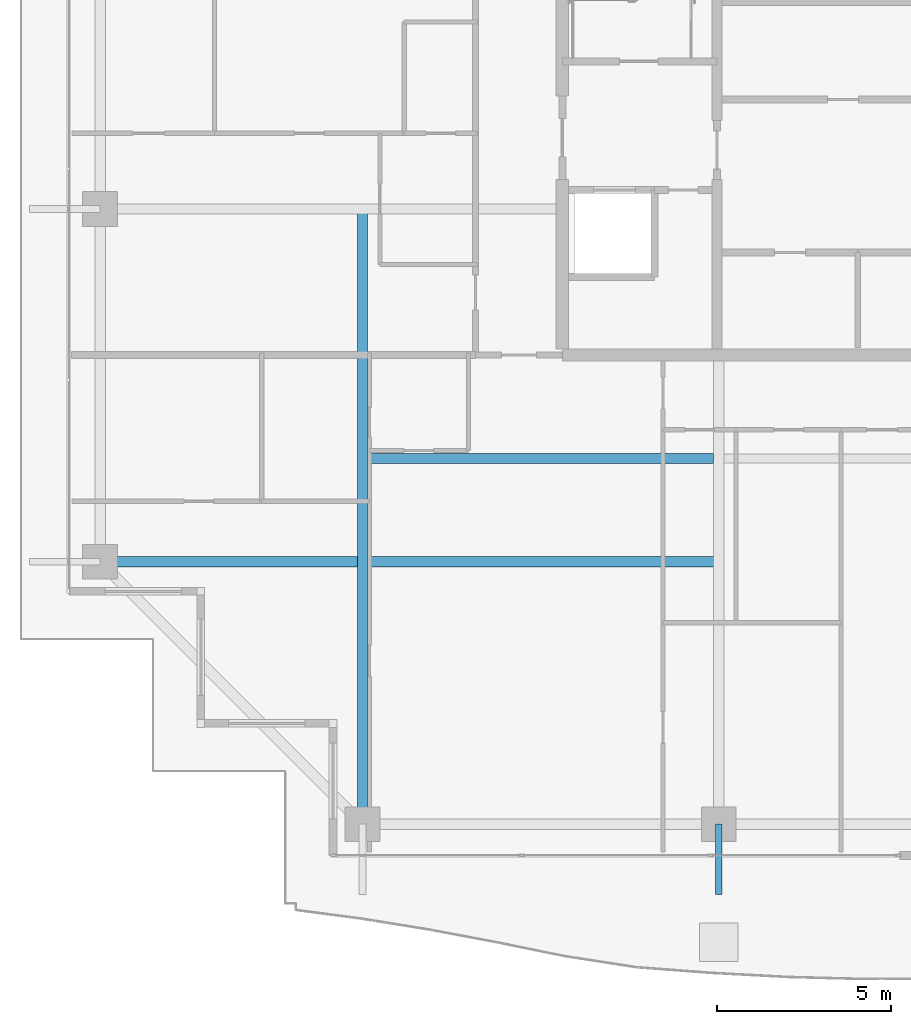
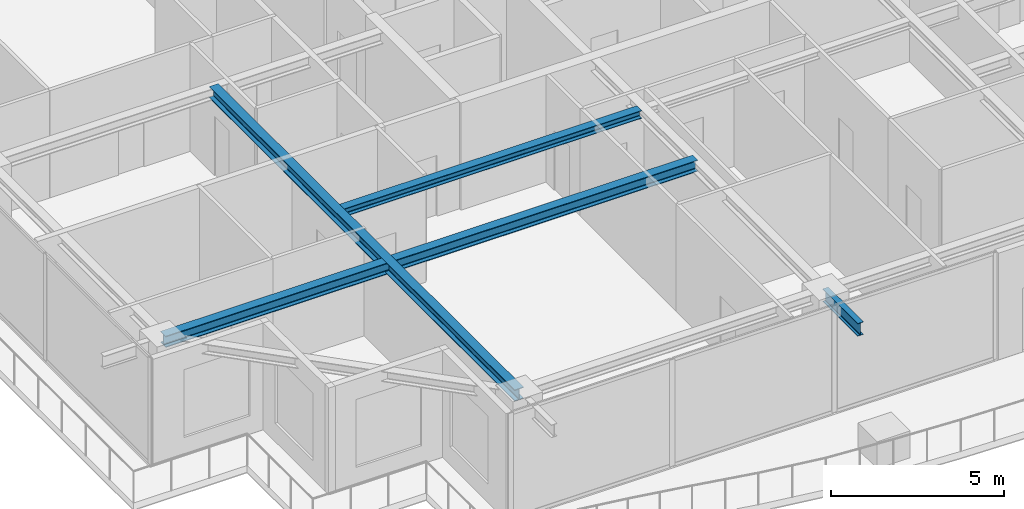
# One storey, part 5 of 42: 4 beams.
"""IFC4 building model written with IfcOpenShell, lengths in metres."""

from ifc_helpers import new_model, si_unit, direction, frame, origin, origin_2d, place, context, subcontext, project, spatial, i_section, extrude, source, transform, mapped, material, material_profile, profile_set, type_object, element, save


model = new_model("IFC4")

# Units and contexts
model_context = context("Model", 3, precision=1e-05, world=origin(), true_north=direction((0.0, 1.0)))
body_context = subcontext(model_context, "Body", "Model", "MODEL_VIEW")
ifc_project = project(units=[si_unit("LENGTHUNIT", "METRE"), si_unit("AREAUNIT", "SQUARE_METRE"), si_unit("VOLUMEUNIT", "CUBIC_METRE"), si_unit("PLANEANGLEUNIT", "RADIAN"), si_unit("MASSUNIT", "GRAM", prefix="KILO")], contexts=[model_context])

# Site, building, storey
site_placement = place(None, origin())
site = spatial("IfcSite", under=ifc_project, at=site_placement, CompositionType="ELEMENT")
building_placement = place(site_placement, origin())
building = spatial("IfcBuilding", under=site, at=building_placement, Name="Serunith Strait Residences", CompositionType="ELEMENT")
storey_placement = place(building_placement, frame((0.0, 0.0, 309.64990234375)))
storey = spatial("IfcBuildingStorey", under=building, at=storey_placement, Name="L77", CompositionType="ELEMENT", Elevation=309.64990234375)

# Beams
ifc_material = material(Name="Steel S355J2", Category="steel")
ifc_material_profile_1 = material_profile(ifc_material, i_section(OverallWidth=0.280029296875, OverallDepth=0.280029296875, WebThickness=0.010498046875, FlangeThickness=0.01806640625, FilletRadius=0.02392578125, at=origin_2d()), Name="HEB 280")
ifc_profile_set_1 = profile_set([ifc_material_profile_1], Name="Steel S355J2")
beam_type_1 = type_object("IfcBeamType", Name="BM-HEB280", PredefinedType="JOIST", material=ifc_profile_set_1)
shared_shape_1 = source(origin(), body_context, "Body", "SweptSolid", [
    extrude(i_section(OverallWidth=0.280029296875, OverallDepth=0.280029296875, WebThickness=0.010498046875, FlangeThickness=0.01806640625, FilletRadius=0.02392578125, at=origin_2d()), origin(), (0.0, 0.0, 1.0), 9.949951171875),
])
beam_1_placement = place(storey_placement, frame((17.800048828125, 13.824951171875, 3.647216796875), z_axis=(1.0, 0.0, 0.0), x_axis=(0.0, 1.0, 0.0)))
element("IfcBeam", 1, at=beam_1_placement, inside=storey, type_object=beam_type_1, Name="L77 Composite Floor Joist 01", PredefinedType="JOIST", context=body_context, shape_type="MappedRepresentation", body=[
    mapped(shared_shape_1, transform((0.0, 0.0, 0.0), scale=1.0)),
])
ifc_material_profile_2 = material_profile(ifc_material, i_section(OverallWidth=0.300048828125, OverallDepth=0.39990234375, WebThickness=0.013427734375, FlangeThickness=0.02392578125, FilletRadius=0.027099609375, at=origin_2d()), Name="HEB 400")
ifc_profile_set_2 = profile_set([ifc_material_profile_2], Name="Steel S355J2")
beam_type_2 = type_object("IfcBeamType", Name="BM-HEB400", PredefinedType="BEAM", material=ifc_profile_set_2)
shared_shape_2 = source(origin(), body_context, "Body", "SweptSolid", [
    extrude(i_section(OverallWidth=0.300048828125, OverallDepth=0.39990234375, WebThickness=0.013427734375, FlangeThickness=0.02392578125, FilletRadius=0.027099609375, at=origin_2d()), origin(), (0.0, 0.0, 1.0), 17.699951171875),
])
beam_2_placement = place(storey_placement, frame((17.64990234375, 21.0, 3.587158203125), z_axis=(0.0, -1.0, 0.0), x_axis=(1.0, 0.0, 0.0)))
element("IfcBeam", 2, at=beam_2_placement, inside=storey, type_object=beam_type_2, Name="L77 Orthogonal Corner Girder TC-S1", PredefinedType="BEAM", context=body_context, shape_type="MappedRepresentation", body=[
    mapped(shared_shape_2, transform((0.0, 0.0, 0.0), scale=1.0)),
])
shared_shape_3 = source(origin(), body_context, "Body", "SweptSolid", [
    extrude(i_section(OverallWidth=0.300048828125, OverallDepth=0.39990234375, WebThickness=0.013427734375, FlangeThickness=0.02392578125, FilletRadius=0.027099609375, at=origin_2d()), origin(), (0.0, 0.0, 1.0), 17.7998046875),
])
beam_3_placement = place(storey_placement, frame((27.89990234375, 10.85009765625, 3.587158203125), z_axis=(-1.0, 0.0, 0.0), x_axis=(0.0, -1.0, 0.0)))
element("IfcBeam", 3, at=beam_3_placement, inside=storey, type_object=beam_type_2, Name="L77 Orthogonal Corner Girder TC-W1", PredefinedType="BEAM", context=body_context, shape_type="MappedRepresentation", body=[
    mapped(shared_shape_3, transform((0.0, 0.0, 0.0), scale=1.0)),
])
ifc_material_profile_3 = material_profile(ifc_material, i_section(OverallWidth=0.18994140625, OverallDepth=0.449951171875, WebThickness=0.009521484375, FlangeThickness=0.0146484375, FilletRadius=0.02099609375, at=origin_2d()), Name="IPE 450")
ifc_profile_set_3 = profile_set([ifc_material_profile_3], Name="Steel S355J2")
beam_type_3 = type_object("IfcBeamType", Name="BM-IPE450", PredefinedType="JOIST", material=ifc_profile_set_3)
shared_shape_4 = source(origin(), body_context, "Body", "SweptSolid", [
    extrude(i_section(OverallWidth=0.18994140625, OverallDepth=0.449951171875, WebThickness=0.009521484375, FlangeThickness=0.0146484375, FilletRadius=0.02099609375, at=origin_2d()), origin(), (0.0, 0.0, 1.0), 2.030029296875),
])
beam_4_placement = place(storey_placement, frame((27.89990234375, 3.300048828125, 3.531982421875), z_axis=(0.0, -1.0, 0.0), x_axis=(1.0, 0.0, 0.0)))
element("IfcBeam", 4, at=beam_4_placement, inside=storey, type_object=beam_type_3, Name="L78 Cantilevered Balcony Rib TC-S2", PredefinedType="JOIST", context=body_context, shape_type="MappedRepresentation", body=[
    mapped(shared_shape_4, transform((0.0, 0.0, 0.0), scale=1.0)),
])

save(model, "model.ifc")
